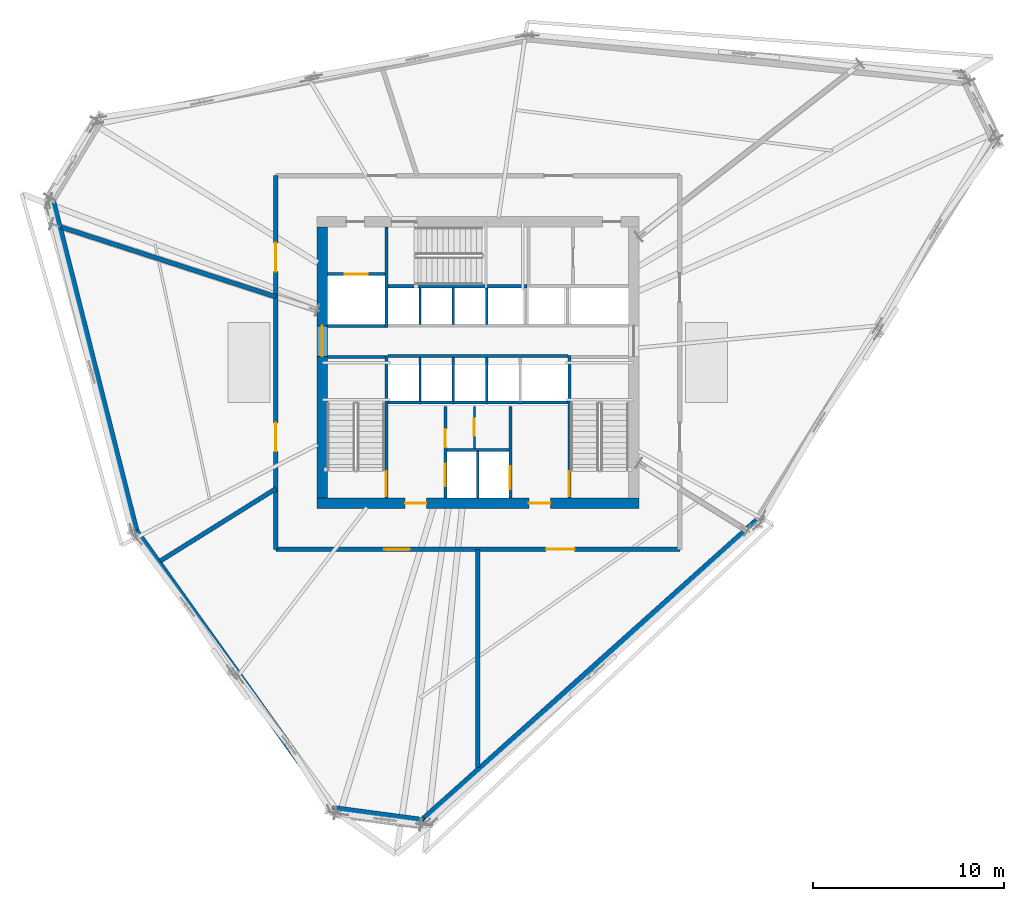
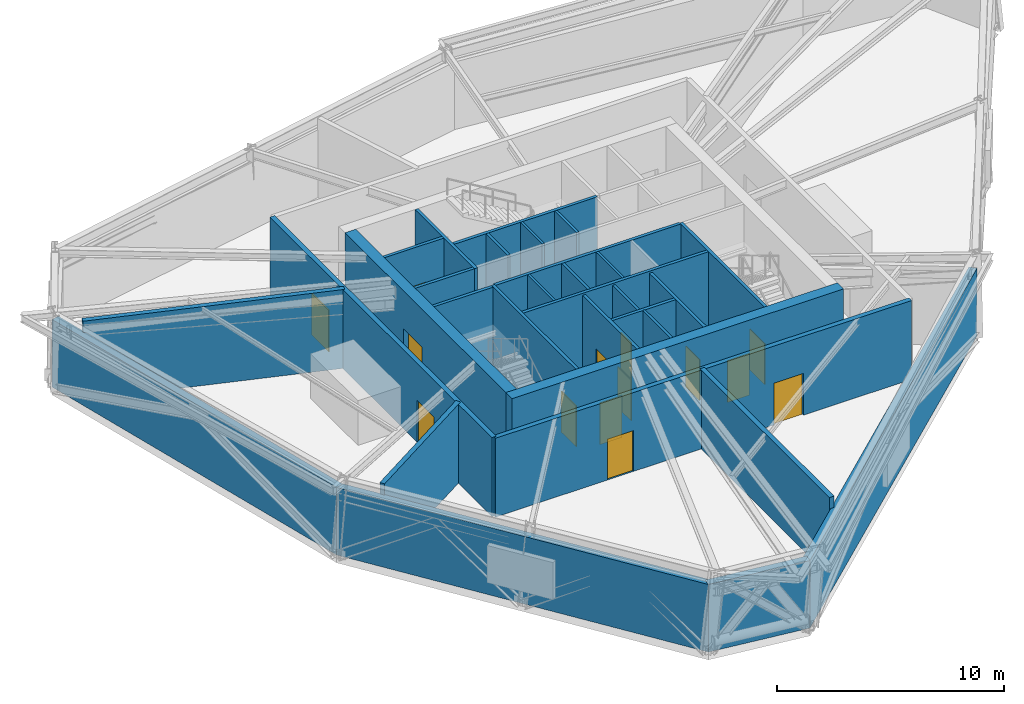
# One storey, part 9 of 14: 31 walls, 14 doors, 14 openings.
"""IFC4 building model written with IfcOpenShell, lengths in metres."""

from ifc_helpers import new_model, si_unit, direction, frame, frame_2d, origin, place, context, subcontext, project, spatial, rectangle, extrude, source, transform, mapped, material, layer, layer_set, type_object, type_shapes, element, fill, save


model = new_model("IFC4")

# Units and contexts
model_context = context("Model", 3, precision=1e-05, world=origin(), true_north=direction((0.0, 1.0)))
body_context = subcontext(model_context, "Body", "Model", "MODEL_VIEW")
ifc_project = project(units=[si_unit("LENGTHUNIT", "METRE"), si_unit("AREAUNIT", "SQUARE_METRE"), si_unit("VOLUMEUNIT", "CUBIC_METRE"), si_unit("PLANEANGLEUNIT", "RADIAN"), si_unit("MASSUNIT", "GRAM", prefix="KILO")], contexts=[model_context])

# Site, building, storey
site_placement = place(None, origin())
site = spatial("IfcSite", under=ifc_project, at=site_placement, CompositionType="ELEMENT")
building_placement = place(site_placement, origin())
building = spatial("IfcBuilding", under=site, at=building_placement, Name="Olszyna Solenne Hotel", CompositionType="ELEMENT")
storey_placement = place(building_placement, frame((0.0, 0.0, 142.10009765625)))
storey = spatial("IfcBuildingStorey", under=building, at=storey_placement, Name="L37", CompositionType="ELEMENT", Elevation=142.10009765625)

# Wall, openings, doors
ifc_material_1 = material(Name="Concrete C50/60", Category="concrete")
ifc_layer_1 = layer(ifc_material_1, 0.550048828125, Name="Concrete C50/60")
ifc_layer_set_1 = layer_set([ifc_layer_1], Name="Concrete C50/60")
wall_type_1 = type_object("IfcWallType", Name="WL-CR550", PredefinedType="SHEAR", material=ifc_layer_set_1)
wall_1_placement = place(storey_placement, frame((46.449951171875, 19.22509765625, 0.0), z_axis=(0.0, 0.0, 1.0), x_axis=(-1.0, 0.0, 0.0)))
wall_1 = element("IfcWall", 1, at=wall_1_placement, inside=storey, type_object=wall_type_1, Name="Core shear wall WL-CR550 CRW-L37-S", PredefinedType="SHEAR", context=body_context, shape_type="SweptSolid", body=[
    extrude(rectangle(XDim=16.89990234375, YDim=0.550048828125, at=frame_2d((8.449951171875, 0.0))), origin(), (0.0, 0.0, 1.0), 4.25),
])
opening_1_placement = place(wall_1_placement, frame((4.64990234375, 0.0, 0.0)))
opening_1 = element("IfcOpeningElement", 2, at=opening_1_placement, cuts=wall_1, Name="Opening FL-L37-1", PredefinedType="OPENING", context=body_context, shape_type="SweptSolid", body=[
    extrude(rectangle(XDim=1.1201171875, YDim=2.25, at=frame_2d((0.56005859375, 1.125))), frame((0.0, 0.28515625, 0.0), z_axis=(0.0, -1.0, 0.0), x_axis=(1.0, 0.0, 0.0)), (0.0, 0.0, 1.0), 0.570068359375),
])
opening_2_placement = place(wall_1_placement, frame((11.14990234375, 0.0, 0.0)))
opening_2 = element("IfcOpeningElement", 3, at=opening_2_placement, cuts=wall_1, Name="Opening FL-L37-2", PredefinedType="OPENING", context=body_context, shape_type="SweptSolid", body=[
    extrude(rectangle(XDim=1.1201171875, YDim=2.25, at=frame_2d((0.56005859375, 1.125))), frame((0.0, 0.28515625, 0.0), z_axis=(0.0, -1.0, 0.0), x_axis=(1.0, 0.0, 0.0)), (0.0, 0.0, 1.0), 0.570068359375),
])
ifc_material_2 = material(Name="Steel S355J2", Category="steel")
door_type_1 = type_object("IfcDoorType", Name="DR-FL1", OperationType="NOTDEFINED", PredefinedType="DOOR", material=ifc_material_2)
shared_shape_1 = source(origin(), body_context, "Body", "SweptSolid", [
    extrude(rectangle(XDim=1.1201171875, YDim=2.25, at=frame_2d((0.56005859375, 1.125))), frame((0.0, 0.02490234375, 0.0), z_axis=(0.0, -1.0, 0.0), x_axis=(1.0, 0.0, 0.0)), (0.0, 0.0, 1.0), 0.050048828125),
])
type_shapes(door_type_1, [shared_shape_1])
door_1_placement = place(opening_1_placement, origin())
door_1 = element("IfcDoor", 4, at=door_1_placement, inside=storey, type_object=door_type_1, Name="Firefighting lift lobby smoke door FL-L37-1", OperationType="SINGLE_SWING_LEFT", OverallHeight=2.25, OverallWidth=1.1201171875, PredefinedType="DOOR", context=body_context, shape_type="MappedRepresentation", body=[
    mapped(shared_shape_1, transform((0.0, 0.0, 0.0), x_axis=(1.0, 0.0, 0.0), y_axis=(0.0, 1.0, 0.0), z_axis=(0.0, 0.0, 1.0), scale=1.0)),
])
fill(opening_1, door_1)
door_2_placement = place(opening_2_placement, origin())
door_2 = element("IfcDoor", 5, at=door_2_placement, inside=storey, type_object=door_type_1, Name="Firefighting lift lobby smoke door FL-L37-2", OperationType="SINGLE_SWING_RIGHT", OverallHeight=2.25, OverallWidth=1.1201171875, PredefinedType="DOOR", context=body_context, shape_type="MappedRepresentation", body=[
    mapped(shared_shape_1, transform((0.0, 0.0, 0.0), x_axis=(1.0, 0.0, 0.0), y_axis=(0.0, 1.0, 0.0), z_axis=(0.0, 0.0, 1.0), scale=1.0)),
])
fill(opening_2, door_2)

# Wall, opening, door
wall_2_placement = place(storey_placement, frame((29.824951171875, 19.5, 0.0), z_axis=(0.0, 0.0, 1.0), x_axis=(0.0, 1.0, 0.0)))
wall_2 = element("IfcWall", 6, at=wall_2_placement, inside=storey, type_object=wall_type_1, Name="Core shear wall WL-CR550 CRW-L37-W", PredefinedType="SHEAR", context=body_context, shape_type="SweptSolid", body=[
    extrude(rectangle(XDim=14.199951171875, YDim=0.550048828125, at=frame_2d((7.10009765625, 0.0))), origin(), (0.0, 0.0, 1.0), 4.25),
])
opening_3_placement = place(wall_2_placement, frame((7.419921875, 0.0, 0.0)))
opening_3 = element("IfcOpeningElement", 7, at=opening_3_placement, cuts=wall_2, Name="Opening LHD-L37-W", PredefinedType="OPENING", context=body_context, shape_type="SweptSolid", body=[
    extrude(rectangle(XDim=1.60009765625, YDim=2.199951171875, at=frame_2d((0.800048828125, 1.10009765625))), frame((0.0, 0.28515625, 0.0), z_axis=(0.0, -1.0, 0.0), x_axis=(1.0, 0.0, 0.0)), (0.0, 0.0, 1.0), 0.570068359375),
])
ifc_material_3 = material(Name="Timber hardwood", Category="wood")
door_type_2 = type_object("IfcDoorType", Name="DR-CR1", OperationType="DOUBLE_DOOR_SINGLE_SWING", PredefinedType="DOOR", material=ifc_material_3)
shared_shape_2 = source(origin(), body_context, "Body", "SweptSolid", [
    extrude(rectangle(XDim=1.60009765625, YDim=2.199951171875, at=frame_2d((0.800048828125, 1.10009765625))), frame((0.0, 0.02490234375, 0.0), z_axis=(0.0, -1.0, 0.0), x_axis=(1.0, 0.0, 0.0)), (0.0, 0.0, 1.0), 0.050048828125),
])
type_shapes(door_type_2, [shared_shape_2])
door_3_placement = place(opening_3_placement, origin())
door_3 = element("IfcDoor", 8, at=door_3_placement, inside=storey, type_object=door_type_2, Name="Passenger lift lobby West fire door LHD-L37-W", OperationType="DOUBLE_DOOR_SINGLE_SWING", OverallHeight=2.199951171875, OverallWidth=1.60009765625, PredefinedType="DOOR", context=body_context, shape_type="MappedRepresentation", body=[
    mapped(shared_shape_2, transform((0.0, 0.0, 0.0), x_axis=(1.0, 0.0, 0.0), y_axis=(0.0, 1.0, 0.0), z_axis=(0.0, 0.0, 1.0), scale=1.0)),
])
fill(opening_3, door_3)

# Walls
ifc_material_4 = material(Name="Terracotta cladding on precast concrete C45/55", Category="masonry")
ifc_layer_2 = layer(ifc_material_4, 0.3798828125, Name="Terracotta cladding on precast concrete C45/55")
ifc_layer_set_2 = layer_set([ifc_layer_2], Name="Terracotta cladding on precast concrete C45/55")
wall_type_2 = type_object("IfcWallType", Name="WL-EX380", PredefinedType="SOLIDWALL", material=ifc_layer_set_2)
wall_3_placement = place(storey_placement, frame((52.65185546875, 18.275390625, 0.0), z_axis=(0.0, 0.0, 1.0), x_axis=(-0.744998125176, -0.667066558511, 0.0)))
element("IfcWall", 9, at=wall_3_placement, inside=storey, type_object=wall_type_2, Name="Exterior terracotta-precast frame wall WL-EX380 EW-L37-01", PredefinedType="SOLIDWALL", context=body_context, shape_type="SweptSolid", body=[
    extrude(rectangle(XDim=23.66162109375, YDim=0.3798828125, at=frame_2d((11.830810546875, 0.0))), origin(), (0.0, 0.0, 1.0), 3.641845703125),
])
wall_4_placement = place(storey_placement, frame((35.17578125, 2.5380859375, 0.0), z_axis=(0.0, 0.0, 1.0), x_axis=(-0.991211199336, 0.132288919834, 0.0)))
element("IfcWall", 10, at=wall_4_placement, inside=storey, type_object=wall_type_2, Name="Exterior terracotta-precast frame wall WL-EX380 EW-L37-02", PredefinedType="SOLIDWALL", context=body_context, shape_type="SweptSolid", body=[
    extrude(rectangle(XDim=4.853759765625, YDim=0.3798828125, at=frame_2d((2.4267578125, 0.0))), origin(), (0.0, 0.0, 1.0), 3.641845703125),
])
for number, where, z_axis, x_axis, name in (
    (11, (30.494140625, 3.102294921875, 0.0), (0.0, 0.0, 1.0), (-0.581022893879, 0.813887213801, 0.0), "Exterior terracotta-precast frame wall WL-EX380 EW-L37-03"),
    (12, (20.05224609375, 17.70654296875, 0.0), (0.0, 0.0, 1.0), (-0.244973212106, 0.969529847581, 0.0), "Exterior terracotta-precast frame wall WL-EX380 EW-L37-04"),
):
    element("IfcWall", number, at=place(storey_placement, frame(where, z_axis=z_axis, x_axis=x_axis)), inside=storey, type_object=wall_type_2, Name=name, PredefinedType="SOLIDWALL", context=body_context, shape_type="SweptSolid", body=[
        extrude(rectangle(XDim=18.0224609375, YDim=0.3798828125, at=frame_2d((9.01123046875, 0.0))), origin(), (0.0, 0.0, 1.0), 3.641845703125),
    ])
ifc_material_5 = material(Name="Acoustic gypsum partition", Category="gypsum")
ifc_layer_3 = layer(ifc_material_5, 0.125, Name="Acoustic gypsum partition")
ifc_layer_set_3 = layer_set([ifc_layer_3], Name="Acoustic gypsum partition")
wall_type_3 = type_object("IfcWallType", Name="WL-PT125", PredefinedType="PARTITIONING", material=ifc_layer_set_3)
wall_5_placement = place(storey_placement, frame((38.0, 19.5, 0.0), z_axis=(0.0, 0.0, 1.0), x_axis=(0.0, 1.0, 0.0)))
element("IfcWall", 13, at=wall_5_placement, inside=storey, type_object=wall_type_3, Name="Core shaft compartment wall CW-L37-FFM", PredefinedType="PARTITIONING", context=body_context, shape_type="SweptSolid", body=[
    extrude(rectangle(XDim=2.4599609375, YDim=0.125, at=frame_2d((1.22998046875, 0.0))), origin(), (0.0, 0.0, 1.0), 4.25),
])

# Wall, opening, door
wall_6_placement = place(storey_placement, frame((37.820068359375, 22.10009765625, 0.0), z_axis=(0.0, 0.0, 1.0), x_axis=(0.0, 1.0, 0.0)))
wall_6 = element("IfcWall", 14, at=wall_6_placement, inside=storey, type_object=wall_type_3, Name="Core shaft compartment wall CW-L37-SC1", PredefinedType="PARTITIONING", context=body_context, shape_type="SweptSolid", body=[
    extrude(rectangle(XDim=2.179931640625, YDim=0.125, at=frame_2d((1.08984375, 0.0))), origin(), (0.0, 0.0, 1.0), 4.25),
])
opening_4_placement = place(wall_6_placement, frame((0.64990234375, 0.0, 0.0)))
opening_4 = element("IfcOpeningElement", 15, at=opening_4_placement, cuts=wall_6, Name="Opening SVD-L37-SC1", PredefinedType="OPENING", context=body_context, shape_type="SweptSolid", body=[
    extrude(rectangle(XDim=0.89990234375, YDim=2.10009765625, at=frame_2d((0.449951171875, 1.050048828125))), frame((0.0, 0.072509765625, 0.0), z_axis=(0.0, -1.0, 0.0), x_axis=(1.0, 0.0, 0.0)), (0.0, 0.0, 1.0), 0.14501953125),
])
door_type_3 = type_object("IfcDoorType", Name="DR-WC1", OperationType="NOTDEFINED", PredefinedType="DOOR", material=ifc_material_3)
shared_shape_3 = source(origin(), body_context, "Body", "SweptSolid", [
    extrude(rectangle(XDim=0.89990234375, YDim=2.10009765625, at=frame_2d((0.449951171875, 1.050048828125))), frame((0.0, 0.02490234375, 0.0), z_axis=(0.0, -1.0, 0.0), x_axis=(1.0, 0.0, 0.0)), (0.0, 0.0, 1.0), 0.050048828125),
])
type_shapes(door_type_3, [shared_shape_3])
door_4_placement = place(opening_4_placement, origin())
door_4 = element("IfcDoor", 16, at=door_4_placement, inside=storey, type_object=door_type_3, Name="Pantry locker door SVD-L37-SC1", OperationType="SINGLE_SWING_LEFT", OverallHeight=2.10009765625, OverallWidth=0.89990234375, PredefinedType="DOOR", context=body_context, shape_type="MappedRepresentation", body=[
    mapped(shared_shape_3, transform((0.0, 0.0, 0.0), x_axis=(1.0, 0.0, 0.0), y_axis=(0.0, 1.0, 0.0), z_axis=(0.0, 0.0, 1.0), scale=1.0)),
])
fill(opening_4, door_4)

# Walls
for number, where, z_axis, x_axis, name in (
    (17, (34.965087890625, 24.56005859375, 0.0), (0.0, 0.0, 1.0), (0.0, 1.0, 0.0), "Core shaft compartment wall CW-L37-DIVS349"),
    (18, (36.715087890625, 24.56005859375, 0.0), (0.0, 0.0, 1.0), (0.0, 1.0, 0.0), "Core shaft compartment wall CW-L37-DIVS367"),
    (19, (38.465087890625, 24.56005859375, 0.0), (0.0, 0.0, 1.0), (0.0, 1.0, 0.0), "Core shaft compartment wall CW-L37-DIVS384"),
):
    element("IfcWall", number, at=place(storey_placement, frame(where, z_axis=z_axis, x_axis=x_axis)), inside=storey, type_object=wall_type_3, Name=name, PredefinedType="PARTITIONING", context=body_context, shape_type="SweptSolid", body=[
        extrude(rectangle(XDim=2.31005859375, YDim=0.125, at=frame_2d((1.155029296875, 0.0))), origin(), (0.0, 0.0, 1.0), 4.25),
    ])
for number, where, z_axis, x_axis, name in (
    (20, (34.965087890625, 28.60009765625, 0.0), (0.0, 0.0, 1.0), (0.0, 1.0, 0.0), "Core shaft compartment wall CW-L37-DIVN349"),
    (21, (36.715087890625, 28.60009765625, 0.0), (0.0, 0.0, 1.0), (0.0, 1.0, 0.0), "Core shaft compartment wall CW-L37-DIVN367"),
    (22, (38.465087890625, 28.60009765625, 0.0), (0.0, 0.0, 1.0), (0.0, 1.0, 0.0), "Core shaft compartment wall CW-L37-DIVN384"),
):
    element("IfcWall", number, at=place(storey_placement, frame(where, z_axis=z_axis, x_axis=x_axis)), inside=storey, type_object=wall_type_3, Name=name, PredefinedType="PARTITIONING", context=body_context, shape_type="SweptSolid", body=[
        extrude(rectangle(XDim=1.919921875, YDim=0.125, at=frame_2d((0.9599609375, 0.0))), origin(), (0.0, 0.0, 1.0), 4.25),
    ])

# Wall, opening, door
ifc_layer_4 = layer(ifc_material_5, 0.159912109375, Name="Acoustic gypsum partition")
ifc_layer_set_4 = layer_set([ifc_layer_4], Name="Acoustic gypsum partition")
wall_type_4 = type_object("IfcWallType", Name="WL-PT160", PredefinedType="PARTITIONING", material=ifc_layer_set_4)
wall_7_placement = place(storey_placement, frame((33.199951171875, 19.5, 0.0), z_axis=(0.0, 0.0, 1.0), x_axis=(0.0, 1.0, 0.0)))
wall_7 = element("IfcWall", 23, at=wall_7_placement, inside=storey, type_object=wall_type_4, Name="Core shaft compartment wall CW-L37-ST1E", PredefinedType="PARTITIONING", context=body_context, shape_type="SweptSolid", body=[
    extrude(rectangle(XDim=7.4599609375, YDim=0.159912109375, at=frame_2d((3.72998046875, 0.0))), origin(), (0.0, 0.0, 1.0), 4.25),
])
opening_5_placement = place(wall_7_placement, frame((0.080078125, 0.0, 0.0)))
opening_5 = element("IfcOpeningElement", 24, at=opening_5_placement, cuts=wall_7, Name="Opening STD-L37-01", PredefinedType="OPENING", context=body_context, shape_type="SweptSolid", body=[
    extrude(rectangle(XDim=1.320068359375, YDim=2.199951171875, at=frame_2d((0.66015625, 1.10009765625))), frame((0.0, 0.08984375, 0.0), z_axis=(0.0, -1.0, 0.0), x_axis=(1.0, 0.0, 0.0)), (0.0, 0.0, 1.0), 0.179931640625),
])
door_type_4 = type_object("IfcDoorType", Name="DR-ST1", OperationType="NOTDEFINED", PredefinedType="DOOR", material=ifc_material_2)
shared_shape_4 = source(origin(), body_context, "Body", "SweptSolid", [
    extrude(rectangle(XDim=1.320068359375, YDim=2.199951171875, at=frame_2d((0.66015625, 1.10009765625))), frame((0.0, 0.02490234375, 0.0), z_axis=(0.0, -1.0, 0.0), x_axis=(1.0, 0.0, 0.0)), (0.0, 0.0, 1.0), 0.050048828125),
])
type_shapes(door_type_4, [shared_shape_4])
door_5_placement = place(opening_5_placement, origin())
door_5 = element("IfcDoor", 25, at=door_5_placement, inside=storey, type_object=door_type_4, Name="Pressurised exit stair ST1 fire door STD-L37-01", OperationType="SINGLE_SWING_LEFT", OverallHeight=2.199951171875, OverallWidth=1.320068359375, PredefinedType="DOOR", context=body_context, shape_type="MappedRepresentation", body=[
    mapped(shared_shape_4, transform((0.0, 0.0, 0.0), x_axis=(1.0, 0.0, 0.0), y_axis=(0.0, 1.0, 0.0), z_axis=(0.0, 0.0, 1.0), scale=1.0)),
])
fill(opening_5, door_5)

# Wall
wall_8_placement = place(storey_placement, frame((30.10009765625, 26.8798828125, 0.0), z_axis=(0.0, 0.0, 1.0), x_axis=(1.0, 0.0, 0.0)))
element("IfcWall", 26, at=wall_8_placement, inside=storey, type_object=wall_type_4, Name="Core shaft compartment wall CW-L37-ST1N", PredefinedType="PARTITIONING", context=body_context, shape_type="SweptSolid", body=[
    extrude(rectangle(XDim=3.02001953125, YDim=0.159912109375, at=frame_2d((1.510009765625, 0.0))), origin(), (0.0, 0.0, 1.0), 4.25),
])

# Wall, opening, door
wall_9_placement = place(storey_placement, frame((42.800048828125, 26.9599609375, 0.0), z_axis=(0.0, 0.0, 1.0), x_axis=(0.0, -1.0, 0.0)))
wall_9 = element("IfcWall", 27, at=wall_9_placement, inside=storey, type_object=wall_type_4, Name="Core shaft compartment wall CW-L37-ST2W", PredefinedType="PARTITIONING", context=body_context, shape_type="SweptSolid", body=[
    extrude(rectangle(XDim=7.4599609375, YDim=0.159912109375, at=frame_2d((3.72998046875, 0.0))), origin(), (0.0, 0.0, 1.0), 4.25),
])
opening_6_placement = place(wall_9_placement, frame((6.06005859375, 0.0, 0.0)))
opening_6 = element("IfcOpeningElement", 28, at=opening_6_placement, cuts=wall_9, Name="Opening STD-L37-02", PredefinedType="OPENING", context=body_context, shape_type="SweptSolid", body=[
    extrude(rectangle(XDim=1.320068359375, YDim=2.199951171875, at=frame_2d((0.66015625, 1.10009765625))), frame((0.0, 0.08984375, 0.0), z_axis=(0.0, -1.0, 0.0), x_axis=(1.0, 0.0, 0.0)), (0.0, 0.0, 1.0), 0.179931640625),
])
door_6_placement = place(opening_6_placement, origin())
door_6 = element("IfcDoor", 29, at=door_6_placement, inside=storey, type_object=door_type_4, Name="Pressurised exit stair ST2 fire door STD-L37-02", OperationType="SINGLE_SWING_RIGHT", OverallHeight=2.199951171875, OverallWidth=1.320068359375, PredefinedType="DOOR", context=body_context, shape_type="MappedRepresentation", body=[
    mapped(shared_shape_4, transform((0.0, 0.0, 0.0), x_axis=(1.0, 0.0, 0.0), y_axis=(0.0, 1.0, 0.0), z_axis=(0.0, 0.0, 1.0), scale=1.0)),
])
fill(opening_6, door_6)

# Wall
wall_10_placement = place(storey_placement, frame((33.280029296875, 30.60009765625, 0.0), z_axis=(0.0, 0.0, 1.0), x_axis=(1.0, 0.0, 0.0)))
element("IfcWall", 30, at=wall_10_placement, inside=storey, type_object=wall_type_4, Name="Core shaft compartment wall CW-L37-ST3S", PredefinedType="PARTITIONING", context=body_context, shape_type="SweptSolid", body=[
    extrude(rectangle(XDim=7.300048828125, YDim=0.159912109375, at=frame_2d((3.64990234375, 0.0))), origin(), (0.0, 0.0, 1.0), 4.25),
])

# Wall, openings, doors
wall_11_placement = place(storey_placement, frame((36.300048828125, 19.5, 0.0), z_axis=(0.0, 0.0, 1.0), x_axis=(0.0, 1.0, 0.0)))
wall_11 = element("IfcWall", 31, at=wall_11_placement, inside=storey, type_object=wall_type_4, Name="Core shaft compartment wall CW-L37-FF1W", PredefinedType="PARTITIONING", context=body_context, shape_type="SweptSolid", body=[
    extrude(rectangle(XDim=4.780029296875, YDim=0.159912109375, at=frame_2d((2.39013671875, 0.0))), origin(), (0.0, 0.0, 1.0), 4.25),
])
opening_7_placement = place(wall_11_placement, frame((0.60009765625, 0.0, 0.0)))
opening_7 = element("IfcOpeningElement", 32, at=opening_7_placement, cuts=wall_11, Name="Opening LD-L37-FF1", PredefinedType="OPENING", context=body_context, shape_type="SweptSolid", body=[
    extrude(rectangle(XDim=1.199951171875, YDim=2.199951171875, at=frame_2d((0.60009765625, 1.10009765625))), frame((0.0, 0.08984375, 0.0), z_axis=(0.0, -1.0, 0.0), x_axis=(1.0, 0.0, 0.0)), (0.0, 0.0, 1.0), 0.179931640625),
])
opening_8_placement = place(wall_11_placement, frame((2.64990234375, 0.0, 0.0)))
opening_8 = element("IfcOpeningElement", 33, at=opening_8_placement, cuts=wall_11, Name="Opening SVD-L37-SMK", PredefinedType="OPENING", context=body_context, shape_type="SweptSolid", body=[
    extrude(rectangle(XDim=0.949951171875, YDim=2.10009765625, at=frame_2d((0.47509765625, 1.050048828125))), frame((0.0, 0.08984375, 0.0), z_axis=(0.0, -1.0, 0.0), x_axis=(1.0, 0.0, 0.0)), (0.0, 0.0, 1.0), 0.179931640625),
])
door_type_5 = type_object("IfcDoorType", Name="DR-SV1", OperationType="NOTDEFINED", PredefinedType="DOOR", material=ifc_material_2)
shared_shape_5 = source(origin(), body_context, "Body", "SweptSolid", [
    extrude(rectangle(XDim=0.949951171875, YDim=2.10009765625, at=frame_2d((0.47509765625, 1.050048828125))), frame((0.0, 0.02490234375, 0.0), z_axis=(0.0, -1.0, 0.0), x_axis=(1.0, 0.0, 0.0)), (0.0, 0.0, 1.0), 0.050048828125),
])
type_shapes(door_type_5, [shared_shape_5])
door_7_placement = place(opening_8_placement, origin())
door_7 = element("IfcDoor", 34, at=door_7_placement, inside=storey, type_object=door_type_5, Name="Valet and core service room door SVD-L37-SMK", OperationType="SINGLE_SWING_LEFT", OverallHeight=2.10009765625, OverallWidth=0.949951171875, PredefinedType="DOOR", context=body_context, shape_type="MappedRepresentation", body=[
    mapped(shared_shape_5, transform((0.0, 0.0, 0.0), x_axis=(1.0, 0.0, 0.0), y_axis=(0.0, 1.0, 0.0), z_axis=(0.0, 0.0, 1.0), scale=1.0)),
])
fill(opening_8, door_7)
door_type_6 = type_object("IfcDoorType", Name="LD-FF1", OperationType="DOUBLE_DOOR_SLIDING", PredefinedType="DOOR", material=ifc_material_2)
shared_shape_6 = source(origin(), body_context, "Body", "SweptSolid", [
    extrude(rectangle(XDim=1.199951171875, YDim=2.199951171875, at=frame_2d((0.60009765625, 1.10009765625))), frame((0.0, 0.02490234375, 0.0), z_axis=(0.0, -1.0, 0.0), x_axis=(1.0, 0.0, 0.0)), (0.0, 0.0, 1.0), 0.050048828125),
])
type_shapes(door_type_6, [shared_shape_6])
door_8_placement = place(opening_7_placement, origin())
door_8 = element("IfcDoor", 35, at=door_8_placement, inside=storey, type_object=door_type_6, Name="Firefighters lift FF1 sliding landing door LD-L37-FF1", OperationType="DOUBLE_DOOR_SLIDING", OverallHeight=2.199951171875, OverallWidth=1.199951171875, PredefinedType="DOOR", context=body_context, shape_type="MappedRepresentation", body=[
    mapped(shared_shape_6, transform((0.0, 0.0, 0.0), x_axis=(1.0, 0.0, 0.0), y_axis=(0.0, 1.0, 0.0), z_axis=(0.0, 0.0, 1.0), scale=1.0)),
])
fill(opening_7, door_8)

# Wall, opening, door
wall_12_placement = place(storey_placement, frame((39.699951171875, 24.280029296875, 0.0), z_axis=(0.0, 0.0, 1.0), x_axis=(0.0, -1.0, 0.0)))
wall_12 = element("IfcWall", 36, at=wall_12_placement, inside=storey, type_object=wall_type_4, Name="Core shaft compartment wall CW-L37-FF2E", PredefinedType="PARTITIONING", context=body_context, shape_type="SweptSolid", body=[
    extrude(rectangle(XDim=4.780029296875, YDim=0.159912109375, at=frame_2d((2.39013671875, 0.0))), origin(), (0.0, 0.0, 1.0), 4.25),
])
opening_9_placement = place(wall_12_placement, frame((3.1201171875, 0.0, 0.0)))
opening_9 = element("IfcOpeningElement", 37, at=opening_9_placement, cuts=wall_12, Name="Opening LD-L37-FF2", PredefinedType="OPENING", context=body_context, shape_type="SweptSolid", body=[
    extrude(rectangle(XDim=1.199951171875, YDim=2.199951171875, at=frame_2d((0.60009765625, 1.10009765625))), frame((0.0, 0.08984375, 0.0), z_axis=(0.0, -1.0, 0.0), x_axis=(1.0, 0.0, 0.0)), (0.0, 0.0, 1.0), 0.179931640625),
])
door_9_placement = place(opening_9_placement, origin())
door_9 = element("IfcDoor", 38, at=door_9_placement, inside=storey, type_object=door_type_6, Name="Firefighters lift FF2 sliding landing door LD-L37-FF2", OperationType="DOUBLE_DOOR_SLIDING", OverallHeight=2.199951171875, OverallWidth=1.199951171875, PredefinedType="DOOR", context=body_context, shape_type="MappedRepresentation", body=[
    mapped(shared_shape_6, transform((0.0, 0.0, 0.0), x_axis=(1.0, 0.0, 0.0), y_axis=(0.0, 1.0, 0.0), z_axis=(0.0, 0.0, 1.0), scale=1.0)),
])
fill(opening_9, door_9)

# Walls
wall_13_placement = place(storey_placement, frame((36.3798828125, 22.02001953125, 0.0), z_axis=(0.0, 0.0, 1.0), x_axis=(1.0, 0.0, 0.0)))
element("IfcWall", 39, at=wall_13_placement, inside=storey, type_object=wall_type_4, Name="Core shaft compartment wall CW-L37-FFN", PredefinedType="PARTITIONING", context=body_context, shape_type="SweptSolid", body=[
    extrude(rectangle(XDim=3.240234375, YDim=0.159912109375, at=frame_2d((1.6201171875, 0.0))), origin(), (0.0, 0.0, 1.0), 4.25),
])
wall_14_placement = place(storey_placement, frame((33.280029296875, 24.489990234375, 0.0), z_axis=(0.0, 0.0, 1.0), x_axis=(1.0, 0.0, 0.0)))
element("IfcWall", 40, at=wall_14_placement, inside=storey, type_object=wall_type_4, Name="Core shaft compartment wall CW-L37-FFBN", PredefinedType="PARTITIONING", context=body_context, shape_type="SweptSolid", body=[
    extrude(rectangle(XDim=9.43994140625, YDim=0.159912109375, at=frame_2d((4.719970703125, 0.0))), origin(), (0.0, 0.0, 1.0), 4.25),
])
wall_15_placement = place(storey_placement, frame((30.10009765625, 28.52001953125, 0.0), z_axis=(0.0, 0.0, 1.0), x_axis=(1.0, 0.0, 0.0)))
element("IfcWall", 41, at=wall_15_placement, inside=storey, type_object=wall_type_4, Name="Core shaft compartment wall CW-L37-SV1S", PredefinedType="PARTITIONING", context=body_context, shape_type="SweptSolid", body=[
    extrude(rectangle(XDim=3.02001953125, YDim=0.159912109375, at=frame_2d((1.510009765625, 0.0))), origin(), (0.0, 0.0, 1.0), 4.25),
])
wall_16_placement = place(storey_placement, frame((33.199951171875, 28.43994140625, 0.0), z_axis=(0.0, 0.0, 1.0), x_axis=(0.0, 1.0, 0.0)))
element("IfcWall", 42, at=wall_16_placement, inside=storey, type_object=wall_type_4, Name="Core shaft compartment wall CW-L37-SV1E", PredefinedType="PARTITIONING", context=body_context, shape_type="SweptSolid", body=[
    extrude(rectangle(XDim=5.260009765625, YDim=0.159912109375, at=frame_2d((2.6298828125, 0.0))), origin(), (0.0, 0.0, 1.0), 4.25),
])

# Wall, opening, door
wall_17_placement = place(storey_placement, frame((30.10009765625, 31.239990234375, 0.0), z_axis=(0.0, 0.0, 1.0), x_axis=(1.0, 0.0, 0.0)))
wall_17 = element("IfcWall", 43, at=wall_17_placement, inside=storey, type_object=wall_type_4, Name="Core shaft compartment wall CW-L37-SV1N", PredefinedType="PARTITIONING", context=body_context, shape_type="SweptSolid", body=[
    extrude(rectangle(XDim=3.02001953125, YDim=0.159912109375, at=frame_2d((1.510009765625, 0.0))), origin(), (0.0, 0.0, 1.0), 4.25),
])
opening_10_placement = place(wall_17_placement, frame((0.909912109375, 0.0, 0.0)))
opening_10 = element("IfcOpeningElement", 44, at=opening_10_placement, cuts=wall_17, Name="Opening LD-L37-SV1", PredefinedType="OPENING", context=body_context, shape_type="SweptSolid", body=[
    extrude(rectangle(XDim=1.199951171875, YDim=2.199951171875, at=frame_2d((0.60009765625, 1.10009765625))), frame((0.0, 0.08984375, 0.0), z_axis=(0.0, -1.0, 0.0), x_axis=(1.0, 0.0, 0.0)), (0.0, 0.0, 1.0), 0.179931640625),
])
door_10_placement = place(opening_10_placement, origin())
door_10 = element("IfcDoor", 45, at=door_10_placement, inside=storey, type_object=door_type_6, Name="Service lift SV1 sliding landing door LD-L37-SV1", OperationType="DOUBLE_DOOR_SLIDING", OverallHeight=2.199951171875, OverallWidth=1.199951171875, PredefinedType="DOOR", context=body_context, shape_type="MappedRepresentation", body=[
    mapped(shared_shape_6, transform((0.0, 0.0, 0.0), x_axis=(1.0, 0.0, 0.0), y_axis=(0.0, 1.0, 0.0), z_axis=(0.0, 0.0, 1.0), scale=1.0)),
])
fill(opening_10, door_10)

# Walls
wall_18_placement = place(storey_placement, frame((33.280029296875, 26.949951171875, 0.0), z_axis=(0.0, 0.0, 1.0), x_axis=(1.0, 0.0, 0.0)))
element("IfcWall", 46, at=wall_18_placement, inside=storey, type_object=wall_type_4, Name="Core shaft compartment wall CW-L37-LRS", PredefinedType="PARTITIONING", context=body_context, shape_type="SweptSolid", body=[
    extrude(rectangle(XDim=9.43994140625, YDim=0.159912109375, at=frame_2d((4.719970703125, 0.0))), origin(), (0.0, 0.0, 1.0), 4.25),
])
ifc_layer_5 = layer(ifc_material_5, 0.239990234375, Name="Acoustic gypsum partition")
ifc_layer_set_5 = layer_set([ifc_layer_5], Name="Acoustic gypsum partition")
wall_type_5 = type_object("IfcWallType", Name="WL-PT240", PredefinedType="PARTITIONING", material=ifc_layer_set_5)
wall_19_placement = place(storey_placement, frame((27.39990234375, 19.976318359375, 0.0), z_axis=(0.0, 0.0, 1.0), x_axis=(-0.848048180336, -0.529919129518, 0.0)))
element("IfcWall", 47, at=wall_19_placement, inside=storey, type_object=wall_type_5, Name="Interior acoustic partition WL-PT240 PW-L37-2117", PredefinedType="PARTITIONING", context=body_context, shape_type="SweptSolid", body=[
    extrude(rectangle(XDim=7.1494140625, YDim=0.239990234375, at=frame_2d((3.57470703125, 0.0))), origin(), (0.0, 0.0, 1.0), 4.25),
])
wall_20_placement = place(storey_placement, frame((38.0, 16.800048828125, 0.0), z_axis=(0.0, 0.0, 1.0), x_axis=(0.0, -1.0, 0.0)))
element("IfcWall", 48, at=wall_20_placement, inside=storey, type_object=wall_type_5, Name="Interior acoustic partition WL-PT240 PW-L37-2118", PredefinedType="PARTITIONING", context=body_context, shape_type="SweptSolid", body=[
    extrude(rectangle(XDim=11.442626953125, YDim=0.239990234375, at=frame_2d((5.72119140625, 0.0))), origin(), (0.0, 0.0, 1.0), 4.25),
])
wall_21_placement = place(storey_placement, frame((27.39990234375, 30.044189453125, 0.0), z_axis=(0.0, 0.0, 1.0), x_axis=(-0.951055941483, 0.309018763459, 0.0)))
element("IfcWall", 49, at=wall_21_placement, inside=storey, type_object=wall_type_5, Name="Interior acoustic partition WL-PT240 PW-L37-2122", PredefinedType="PARTITIONING", context=body_context, shape_type="SweptSolid", body=[
    extrude(rectangle(XDim=11.810546875, YDim=0.239990234375, at=frame_2d((5.9052734375, 0.0))), origin(), (0.0, 0.0, 1.0), 4.25),
])

# Wall, openings, doors
wall_22_placement = place(storey_placement, frame((27.39990234375, 16.800048828125, 0.0), z_axis=(0.0, 0.0, 1.0), x_axis=(1.0, 0.0, 0.0)))
wall_22 = element("IfcWall", 50, at=wall_22_placement, inside=storey, type_object=wall_type_5, Name="Interior acoustic partition WL-PT240 PW-L37-2123", PredefinedType="PARTITIONING", context=body_context, shape_type="SweptSolid", body=[
    extrude(rectangle(XDim=21.2001953125, YDim=0.239990234375, at=frame_2d((10.60009765625, 0.0))), origin(), (0.0, 0.0, 1.0), 4.25),
])
opening_11_placement = place(wall_22_placement, frame((5.699951171875, 0.0, 0.0)))
opening_11 = element("IfcOpeningElement", 51, at=opening_11_placement, cuts=wall_22, Name="Opening DR-L37-0512", PredefinedType="OPENING", context=body_context, shape_type="SweptSolid", body=[
    extrude(rectangle(XDim=1.320068359375, YDim=2.199951171875, at=frame_2d((0.66015625, 1.10009765625))), frame((0.0, 0.1298828125, 0.0), z_axis=(0.0, -1.0, 0.0), x_axis=(1.0, 0.0, 0.0)), (0.0, 0.0, 1.0), 0.260009765625),
])
opening_12_placement = place(wall_22_placement, frame((14.179931640625, 0.0, 0.0)))
opening_12 = element("IfcOpeningElement", 52, at=opening_12_placement, cuts=wall_22, Name="Opening DR-L37-0513", PredefinedType="OPENING", context=body_context, shape_type="SweptSolid", body=[
    extrude(rectangle(XDim=1.5, YDim=2.25, at=frame_2d((0.75, 1.125))), frame((0.0, 0.1298828125, 0.0), z_axis=(0.0, -1.0, 0.0), x_axis=(1.0, 0.0, 0.0)), (0.0, 0.0, 1.0), 0.260009765625),
])
door_11_placement = place(opening_11_placement, origin())
door_11 = element("IfcDoor", 53, at=door_11_placement, inside=storey, type_object=door_type_4, Name="Refuge / Plant Fire Door DR-L37-0512", OperationType="SINGLE_SWING_LEFT", OverallHeight=2.199951171875, OverallWidth=1.320068359375, PredefinedType="DOOR", context=body_context, shape_type="MappedRepresentation", body=[
    mapped(shared_shape_4, transform((0.0, 0.0, 0.0), x_axis=(1.0, 0.0, 0.0), y_axis=(0.0, 1.0, 0.0), z_axis=(0.0, 0.0, 1.0), scale=1.0)),
])
fill(opening_11, door_11)
door_type_7 = type_object("IfcDoorType", Name="DR-PL1", OperationType="DOUBLE_DOOR_SINGLE_SWING", PredefinedType="DOOR", material=ifc_material_2)
shared_shape_7 = source(origin(), body_context, "Body", "SweptSolid", [
    extrude(rectangle(XDim=1.5, YDim=2.25, at=frame_2d((0.75, 1.125))), frame((0.0, 0.02490234375, 0.0), z_axis=(0.0, -1.0, 0.0), x_axis=(1.0, 0.0, 0.0)), (0.0, 0.0, 1.0), 0.050048828125),
])
type_shapes(door_type_7, [shared_shape_7])
door_12_placement = place(opening_12_placement, origin())
door_12 = element("IfcDoor", 54, at=door_12_placement, inside=storey, type_object=door_type_7, Name="Refuge / Plant Fire Door DR-L37-0513", OperationType="DOUBLE_DOOR_SINGLE_SWING", OverallHeight=2.25, OverallWidth=1.5, PredefinedType="DOOR", context=body_context, shape_type="MappedRepresentation", body=[
    mapped(shared_shape_7, transform((0.0, 0.0, 0.0), x_axis=(1.0, 0.0, 0.0), y_axis=(0.0, 1.0, 0.0), z_axis=(0.0, 0.0, 1.0), scale=1.0)),
])
fill(opening_12, door_12)

wall_23_placement = place(storey_placement, frame((27.39990234375, 16.800048828125, 0.0), z_axis=(0.0, 0.0, 1.0), x_axis=(0.0, 1.0, 0.0)))
wall_23 = element("IfcWall", 55, at=wall_23_placement, inside=storey, type_object=wall_type_5, Name="Interior acoustic partition WL-PT240 PW-L37-2125", PredefinedType="PARTITIONING", context=body_context, shape_type="SweptSolid", body=[
    extrude(rectangle(XDim=19.599853515625, YDim=0.239990234375, at=frame_2d((9.7998046875, 0.0))), origin(), (0.0, 0.0, 1.0), 4.25),
])
opening_13_placement = place(wall_23_placement, frame((5.1298828125, 0.0, 0.0)))
opening_13 = element("IfcOpeningElement", 56, at=opening_13_placement, cuts=wall_23, Name="Opening DR-L37-0516", PredefinedType="OPENING", context=body_context, shape_type="SweptSolid", body=[
    extrude(rectangle(XDim=1.5, YDim=2.25, at=frame_2d((0.75, 1.125))), frame((0.0, 0.1298828125, 0.0), z_axis=(0.0, -1.0, 0.0), x_axis=(1.0, 0.0, 0.0)), (0.0, 0.0, 1.0), 0.260009765625),
])
opening_14_placement = place(wall_23_placement, frame((14.570068359375, 0.0, 0.0)))
opening_14 = element("IfcOpeningElement", 57, at=opening_14_placement, cuts=wall_23, Name="Opening DR-L37-0517", PredefinedType="OPENING", context=body_context, shape_type="SweptSolid", body=[
    extrude(rectangle(XDim=1.5, YDim=2.25, at=frame_2d((0.75, 1.125))), frame((0.0, 0.1298828125, 0.0), z_axis=(0.0, -1.0, 0.0), x_axis=(1.0, 0.0, 0.0)), (0.0, 0.0, 1.0), 0.260009765625),
])
door_13_placement = place(opening_13_placement, origin())
door_13 = element("IfcDoor", 58, at=door_13_placement, inside=storey, type_object=door_type_7, Name="Refuge / Plant Fire Door DR-L37-0516", OperationType="DOUBLE_DOOR_SINGLE_SWING", OverallHeight=2.25, OverallWidth=1.5, PredefinedType="DOOR", context=body_context, shape_type="MappedRepresentation", body=[
    mapped(shared_shape_7, transform((0.0, 0.0, 0.0), x_axis=(1.0, 0.0, 0.0), y_axis=(0.0, 1.0, 0.0), z_axis=(0.0, 0.0, 1.0), scale=1.0)),
])
fill(opening_13, door_13)
door_14_placement = place(opening_14_placement, origin())
door_14 = element("IfcDoor", 59, at=door_14_placement, inside=storey, type_object=door_type_7, Name="Refuge / Plant Fire Door DR-L37-0517", OperationType="DOUBLE_DOOR_SINGLE_SWING", OverallHeight=2.25, OverallWidth=1.5, PredefinedType="DOOR", context=body_context, shape_type="MappedRepresentation", body=[
    mapped(shared_shape_7, transform((0.0, 0.0, 0.0), x_axis=(1.0, 0.0, 0.0), y_axis=(0.0, 1.0, 0.0), z_axis=(0.0, 0.0, 1.0), scale=1.0)),
])
fill(opening_14, door_14)

save(model, "model.ifc")
